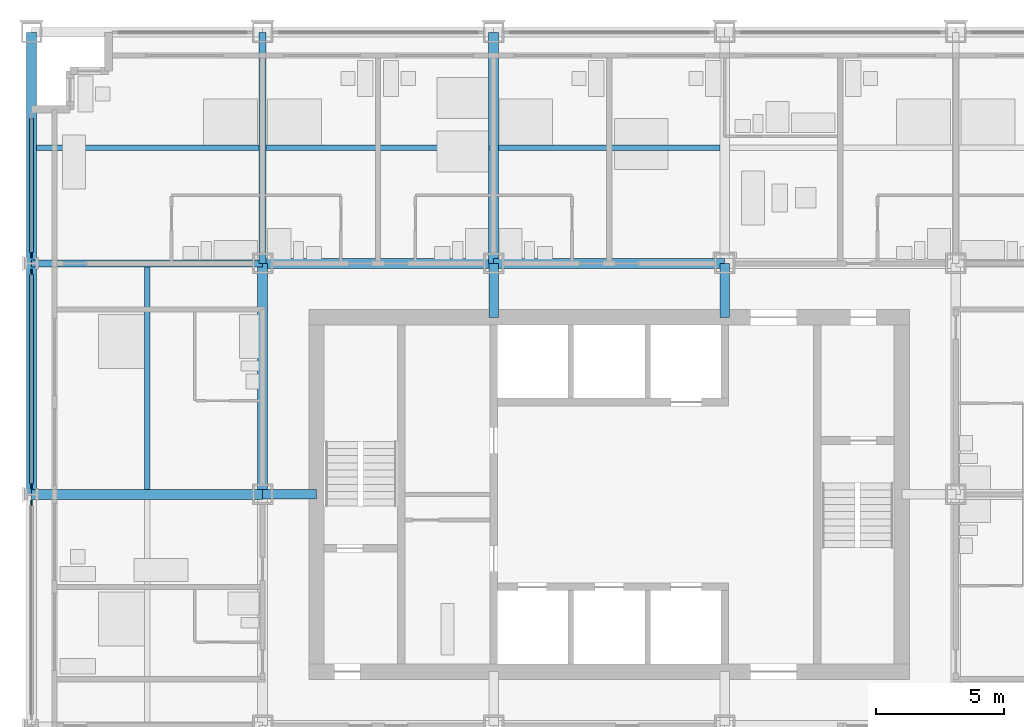
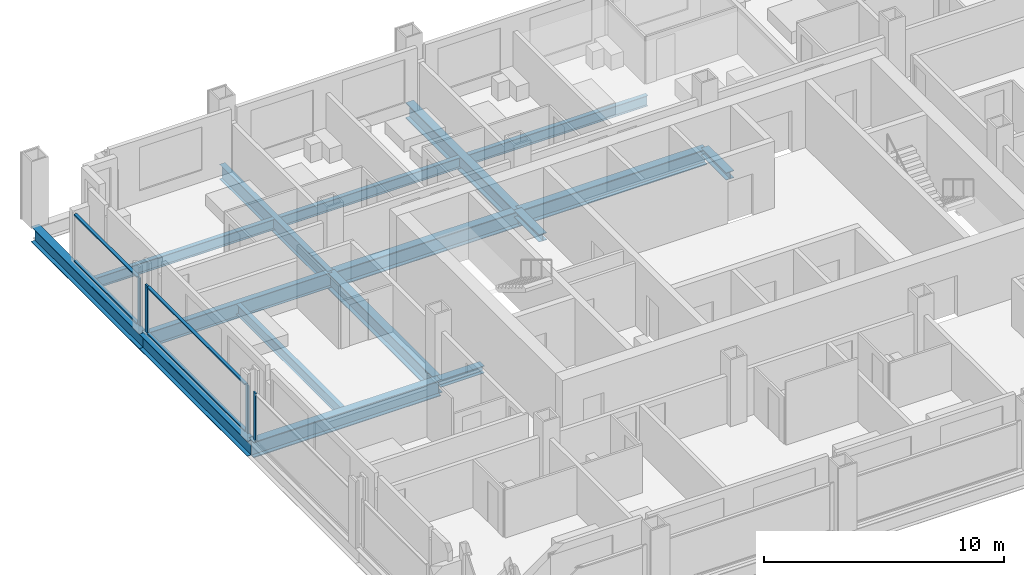
# One storey, part 4 of 16: 13 beams, 11 members, 3 elements without a shape of their own.
"""IFC4 building model written with IfcOpenShell, lengths in metres."""

from ifc_helpers import new_model, si_unit, direction, frame, origin, origin_2d, place, context, subcontext, project, spatial, rectangle, i_section, extrude, material, material_profile, profile_set, type_object, element, aggregate, save


model = new_model("IFC4")

# Units and contexts
model_context = context("Model", 3, precision=1e-05, world=origin(), true_north=direction((0.0, 1.0)))
body_context = subcontext(model_context, "Body", "Model", "MODEL_VIEW")
ifc_project = project(units=[si_unit("LENGTHUNIT", "METRE"), si_unit("AREAUNIT", "SQUARE_METRE"), si_unit("VOLUMEUNIT", "CUBIC_METRE"), si_unit("PLANEANGLEUNIT", "RADIAN"), si_unit("MASSUNIT", "GRAM", prefix="KILO")], contexts=[model_context])

# Site, building, storey
site_placement = place(None, origin())
site = spatial("IfcSite", under=ifc_project, at=site_placement, CompositionType="ELEMENT")
building_placement = place(site_placement, origin())
building = spatial("IfcBuilding", under=site, at=building_placement, Name="Loomwork Tower", CompositionType="ELEMENT")
storey_placement = place(building_placement, frame((0.0, 0.0, 104.39990234375)))
storey = spatial("IfcBuildingStorey", under=building, at=storey_placement, Name="L27", CompositionType="ELEMENT", Elevation=104.39990234375)

# Beams
ifc_material_1 = material(Name="Steel ASTM A992", Category="steel")
ifc_material_profile_1 = material_profile(ifc_material_1, i_section(OverallWidth=0.383544921875, OverallDepth=0.794921875, WebThickness=0.02099609375, FlangeThickness=0.0380859375, at=origin_2d()), Name="W30x235")
ifc_profile_set_1 = profile_set([ifc_material_profile_1], Name="Steel ASTM A992")
beam_type_1 = type_object("IfcBeamType", Name="CORE FLANK GIRDER W30x235", PredefinedType="BEAM", material=ifc_profile_set_1)
for number, where, z_axis, x_axis, name in (
    (1, (0.0, 18.0, -0.597412109375), (1.0, 0.0, 0.0), (0.0, 1.0, 0.0), "Core Flank Girder F/2-F/3 L27"),
    (2, (9.0, 27.0, -0.597412109375), (1.0, 0.0, 0.0), (0.0, 1.0, 0.0), "Core Flank Girder G/3-G/4 L27"),
    (3, (18.0, 27.0, -0.597412109375), (1.0, 0.0, 0.0), (0.0, 1.0, 0.0), "Core Flank Girder G/4-G/5 L27"),
    (4, (9.0, 18.0, -0.597412109375), (0.0, 1.0, 0.0), (-1.0, 0.0, 0.0), "Core Flank Girder F/3-G/3 L27"),
    (5, (18.0, 27.0, -0.597412109375), (0.0, 1.0, 0.0), (-1.0, 0.0, 0.0), "Core Flank Girder G/4-H/4 L27"),
):
    element("IfcBeam", number, at=place(storey_placement, frame(where, z_axis=z_axis, x_axis=x_axis)), inside=storey, type_object=beam_type_1, Name=name, PredefinedType="BEAM", context=body_context, shape_type="SweptSolid", body=[
        extrude(i_section(OverallWidth=0.383544921875, OverallDepth=0.794921875, WebThickness=0.02099609375, FlangeThickness=0.0380859375, at=origin_2d()), origin(), (0.0, 0.0, 1.0), 9.0),
    ])

# Members
ifc_material_2 = material(Name="Steel ASTM A992", Category="steel")
ifc_material_profile_2 = material_profile(ifc_material_2, i_section(OverallWidth=0.373291015625, OverallDepth=0.373291015625, WebThickness=0.016357421875, FlangeThickness=0.026123046875, at=origin_2d()), Name="W14x132")
ifc_profile_set_2 = profile_set([ifc_material_profile_2], Name="Steel ASTM A992")
member_type_1 = type_object("IfcMemberType", Name="CORE LINK STRUT W14x132", PredefinedType="STRUT", material=ifc_profile_set_2)
for number, where, z_axis, x_axis, name in (
    (6, (27.0, 27.0, -0.386474609375), (0.0, -1.0, 0.0), (1.0, 0.0, 0.0), "Core link strut G/5-27.000,24.900 L27"),
    (7, (18.0, 27.0, -0.386474609375), (0.0, -1.0, 0.0), (1.0, 0.0, 0.0), "Core link strut G/4-18.000,24.900 L27"),
    (8, (9.0, 18.0, -0.386474609375), (1.0, 0.0, 0.0), (0.0, 1.0, 0.0), "Core link strut F/3-11.100,18.000 L27"),
):
    element("IfcMember", number, at=place(storey_placement, frame(where, z_axis=z_axis, x_axis=x_axis)), inside=storey, type_object=member_type_1, Name=name, PredefinedType="STRUT", context=body_context, shape_type="SweptSolid", body=[
        extrude(i_section(OverallWidth=0.373291015625, OverallDepth=0.373291015625, WebThickness=0.016357421875, FlangeThickness=0.026123046875, at=origin_2d()), origin(), (0.0, 0.0, 1.0), 2.10009765625),
    ])

# Beams
ifc_material_3 = material(Name="Steel ASTM A992", Category="steel")
ifc_material_profile_3 = material_profile(ifc_material_3, i_section(OverallWidth=0.2666015625, OverallDepth=0.761962890625, WebThickness=0.014404296875, FlangeThickness=0.021484375, at=origin_2d()), Name="W30x116")
ifc_profile_set_3 = profile_set([ifc_material_profile_3], Name="Steel ASTM A992")
beam_type_2 = type_object("IfcBeamType", Name="FLOOR GIRDER W30x116", PredefinedType="BEAM", material=ifc_profile_set_3)
for number, where, z_axis, x_axis, name in (
    (9, (0.0, 27.0, -0.580810546875), (1.0, 0.0, 0.0), (0.0, 1.0, 0.0), "Floor Girder G/2-G/3 L27"),
    (10, (9.0, 27.0, -0.580810546875), (0.0, 1.0, 0.0), (-1.0, 0.0, 0.0), "Floor Girder G/3-H/3 L27"),
):
    element("IfcBeam", number, at=place(storey_placement, frame(where, z_axis=z_axis, x_axis=x_axis)), inside=storey, type_object=beam_type_2, Name=name, PredefinedType="BEAM", context=body_context, shape_type="SweptSolid", body=[
        extrude(i_section(OverallWidth=0.2666015625, OverallDepth=0.761962890625, WebThickness=0.014404296875, FlangeThickness=0.021484375, at=origin_2d()), origin(), (0.0, 0.0, 1.0), 9.0),
    ])
ifc_material_4 = material(Name="Steel ASTM A992", Category="steel")
ifc_material_profile_4 = material_profile(ifc_material_4, i_section(OverallWidth=0.2109375, OverallDepth=0.53857421875, WebThickness=0.011474609375, FlangeThickness=0.018798828125, at=origin_2d()), Name="W21x73")
ifc_profile_set_4 = profile_set([ifc_material_profile_4], Name="Steel ASTM A992")
beam_type_3 = type_object("IfcBeamType", Name="FLOOR JOIST W21x73", PredefinedType="JOIST", material=ifc_profile_set_4)
beam_1_placement = place(storey_placement, frame((4.5, 18.19091796875, -0.46923828125), z_axis=(0.0, 1.0, 0.0), x_axis=(-1.0, 0.0, 0.0)))
element("IfcBeam", 11, at=beam_1_placement, inside=storey, type_object=beam_type_3, Name="Floor Joist 4.500,18.000-4.500,27.000 L27", PredefinedType="JOIST", context=body_context, shape_type="SweptSolid", body=[
    extrude(i_section(OverallWidth=0.2109375, OverallDepth=0.53857421875, WebThickness=0.011474609375, FlangeThickness=0.018798828125, at=origin_2d()), origin(), (0.0, 0.0, 1.0), 8.676025390625),
])
beam_2_placement = place(storey_placement, frame((0.18994140625, 31.5, -0.46923828125), z_axis=(1.0, 0.0, 0.0), x_axis=(0.0, 1.0, 0.0)))
element("IfcBeam", 12, at=beam_2_placement, inside=storey, type_object=beam_type_3, Name="Floor Joist 0.000,31.500-9.000,31.500 L27", PredefinedType="JOIST", context=body_context, shape_type="SweptSolid", body=[
    extrude(i_section(OverallWidth=0.2109375, OverallDepth=0.53857421875, WebThickness=0.011474609375, FlangeThickness=0.018798828125, at=origin_2d()), origin(), (0.0, 0.0, 1.0), 8.677001953125),
])
beam_3_placement = place(storey_placement, frame((9.133056640625, 31.5, -0.46923828125), z_axis=(1.0, 0.0, 0.0), x_axis=(0.0, 1.0, 0.0)))
element("IfcBeam", 13, at=beam_3_placement, inside=storey, type_object=beam_type_3, Name="Floor Joist 9.000,31.500-18.000,31.500 L27", PredefinedType="JOIST", context=body_context, shape_type="SweptSolid", body=[
    extrude(i_section(OverallWidth=0.2109375, OverallDepth=0.53857421875, WebThickness=0.011474609375, FlangeThickness=0.018798828125, at=origin_2d()), origin(), (0.0, 0.0, 1.0), 8.676025390625),
])
beam_4_placement = place(storey_placement, frame((18.19091796875, 31.5, -0.46923828125), z_axis=(1.0, 0.0, 0.0), x_axis=(0.0, 1.0, 0.0)))
element("IfcBeam", 14, at=beam_4_placement, inside=storey, type_object=beam_type_3, Name="Floor Joist 18.000,31.500-27.000,31.500 L27", PredefinedType="JOIST", context=body_context, shape_type="SweptSolid", body=[
    extrude(i_section(OverallWidth=0.2109375, OverallDepth=0.53857421875, WebThickness=0.011474609375, FlangeThickness=0.018798828125, at=origin_2d()), origin(), (0.0, 0.0, 1.0), 8.6181640625),
])

# Curtain wall, member
ifc_material_5 = material(Name="Aluminium curtain wall frame", Category="aluminium")
curtain_wall_type = type_object("IfcCurtainWallType", Name="Outer skin glazing hotel", PredefinedType="NOTDEFINED", material=ifc_material_5)
curtain_wall_1_placement = place(storey_placement, origin())
curtain_wall_1 = element("IfcCurtainWall", 15, at=curtain_wall_1_placement, inside=storey, type_object=curtain_wall_type, Name="Outer skin glazing hotel cw/W-9", PredefinedType="NOTDEFINED")
ifc_material_6 = material(Name="Aluminium curtain wall frame", Category="aluminium")
ifc_material_profile_5 = material_profile(ifc_material_6, rectangle(XDim=0.06494140625, YDim=0.199951171875, at=origin_2d()), Name="AL 65x200")
ifc_profile_set_5 = profile_set([ifc_material_profile_5], Name="Aluminium curtain wall frame")
member_type_2 = type_object("IfcMemberType", Name="Outer skin glazing hotel mullion", PredefinedType="MULLION", material=ifc_profile_set_5)
member_1_placement = place(storey_placement, frame((0.0, 17.67529296875, 0.0), z_axis=(0.0, 0.0, 1.0), x_axis=(1.0, 0.0, 0.0)))
member_1 = element("IfcMember", 16, at=member_1_placement, type_object=member_type_2, Name="CW1 mullion 1", PredefinedType="MULLION", context=body_context, shape_type="SweptSolid", body=[
    extrude(rectangle(XDim=0.06494140625, YDim=0.199951171875, at=origin_2d()), origin(), (0.0, 0.0, 1.0), 2.42041015625),
])
aggregate(curtain_wall_1, [member_1])

# Curtain wall, members
curtain_wall_2_placement = place(storey_placement, origin())
curtain_wall_2 = element("IfcCurtainWall", 17, at=curtain_wall_2_placement, inside=storey, type_object=curtain_wall_type, Name="Outer skin glazing hotel cw/W-18", PredefinedType="NOTDEFINED")
member_2_placement = place(storey_placement, frame((0.0, 26.67529296875, 0.0), z_axis=(0.0, 0.0, 1.0), x_axis=(1.0, 0.0, 0.0)))
member_2 = element("IfcMember", 18, at=member_2_placement, type_object=member_type_2, Name="CW1 mullion 1", PredefinedType="MULLION", context=body_context, shape_type="SweptSolid", body=[
    extrude(rectangle(XDim=0.06494140625, YDim=0.199951171875, at=origin_2d()), origin(), (0.0, 0.0, 1.0), 2.42041015625),
])
member_3_placement = place(storey_placement, frame((0.0, 18.32470703125, 0.0), z_axis=(0.0, 0.0, 1.0), x_axis=(1.0, 0.0, 0.0)))
member_3 = element("IfcMember", 19, at=member_3_placement, type_object=member_type_2, Name="CW1 mullion 2", PredefinedType="MULLION", context=body_context, shape_type="SweptSolid", body=[
    extrude(rectangle(XDim=0.06494140625, YDim=0.199951171875, at=origin_2d()), origin(), (0.0, 0.0, 1.0), 2.42041015625),
])

# Curtain wall, member
curtain_wall_3_placement = place(storey_placement, origin())
curtain_wall_3 = element("IfcCurtainWall", 20, at=curtain_wall_3_placement, inside=storey, type_object=curtain_wall_type, Name="Outer skin glazing hotel cw/W-27", PredefinedType="NOTDEFINED")
member_4_placement = place(storey_placement, frame((0.0, 27.32470703125, 0.0), z_axis=(0.0, 0.0, 1.0), x_axis=(1.0, 0.0, 0.0)))
member_4 = element("IfcMember", 21, at=member_4_placement, type_object=member_type_2, Name="CW1 mullion 2", PredefinedType="MULLION", context=body_context, shape_type="SweptSolid", body=[
    extrude(rectangle(XDim=0.06494140625, YDim=0.199951171875, at=origin_2d()), origin(), (0.0, 0.0, 1.0), 2.42041015625),
])

# Member
ifc_material_7 = material(Name="Aluminium curtain wall frame", Category="aluminium")
ifc_material_profile_6 = material_profile(ifc_material_7, rectangle(XDim=0.14990234375, YDim=0.06494140625, at=origin_2d()), Name="AL 65x150")
ifc_profile_set_6 = profile_set([ifc_material_profile_6], Name="Aluminium curtain wall frame")
member_type_3 = type_object("IfcMemberType", Name="Outer skin glazing hotel transom", PredefinedType="USERDEFINED", material=ifc_profile_set_6)
member_5_placement = place(storey_placement, frame((0.0, 26.5751953125, 0.03271484375), z_axis=(0.0, -1.0, 0.0), x_axis=(1.0, 0.0, 0.0)))
member_5 = element("IfcMember", 22, at=member_5_placement, type_object=member_type_3, Name="CW1 transom 1.1", ObjectType="TRANSOM", PredefinedType="USERDEFINED", context=body_context, shape_type="SweptSolid", body=[
    extrude(rectangle(XDim=0.14990234375, YDim=0.06494140625, at=origin_2d()), origin(), (0.0, 0.0, 1.0), 8.150390625),
])

member_6_placement = place(storey_placement, frame((0.0, 26.5751953125, 2.3876953125), z_axis=(0.0, -1.0, 0.0), x_axis=(1.0, 0.0, 0.0)))
member_6 = element("IfcMember", 23, at=member_6_placement, type_object=member_type_3, Name="CW1 transom 1.2", ObjectType="TRANSOM", PredefinedType="USERDEFINED", context=body_context, shape_type="SweptSolid", body=[
    extrude(rectangle(XDim=0.14990234375, YDim=0.06494140625, at=origin_2d()), origin(), (0.0, 0.0, 1.0), 8.150390625),
])

aggregate(curtain_wall_2, [member_2, member_3, member_5, member_6])

member_7_placement = place(storey_placement, frame((0.0, 32.64990234375, 0.03271484375), z_axis=(0.0, -1.0, 0.0), x_axis=(1.0, 0.0, 0.0)))
member_7 = element("IfcMember", 24, at=member_7_placement, type_object=member_type_3, Name="CW1 transom 1.1", ObjectType="TRANSOM", PredefinedType="USERDEFINED", context=body_context, shape_type="SweptSolid", body=[
    extrude(rectangle(XDim=0.14990234375, YDim=0.06494140625, at=origin_2d()), origin(), (0.0, 0.0, 1.0), 5.22509765625),
])

member_8_placement = place(storey_placement, frame((0.0, 32.64990234375, 2.3876953125), z_axis=(0.0, -1.0, 0.0), x_axis=(1.0, 0.0, 0.0)))
member_8 = element("IfcMember", 25, at=member_8_placement, type_object=member_type_3, Name="CW1 transom 1.2", ObjectType="TRANSOM", PredefinedType="USERDEFINED", context=body_context, shape_type="SweptSolid", body=[
    extrude(rectangle(XDim=0.14990234375, YDim=0.06494140625, at=origin_2d()), origin(), (0.0, 0.0, 1.0), 5.22509765625),
])

aggregate(curtain_wall_3, [member_4, member_7, member_8])

# Beams
ifc_material_8 = material(Name="Steel ASTM A992", Category="steel")
ifc_material_profile_7 = material_profile(ifc_material_8, i_section(OverallWidth=0.381103515625, OverallDepth=0.77978515625, WebThickness=0.01806640625, FlangeThickness=0.0302734375, at=origin_2d()), Name="W30x191")
ifc_profile_set_7 = profile_set([ifc_material_profile_7], Name="Steel ASTM A992")
beam_type_4 = type_object("IfcBeamType", Name="SPANDREL GIRDER W30x191", PredefinedType="SPANDREL", material=ifc_profile_set_7)
for number, where, z_axis, x_axis, name in (
    (26, (0.0, 18.0, -0.58984375), (0.0, 1.0, 0.0), (-1.0, 0.0, 0.0), "Spandrel Girder F/2-G/2 L27"),
    (27, (0.0, 27.0, -0.58984375), (0.0, 1.0, 0.0), (-1.0, 0.0, 0.0), "Spandrel Girder G/2-H/2 L27"),
):
    element("IfcBeam", number, at=place(storey_placement, frame(where, z_axis=z_axis, x_axis=x_axis)), inside=storey, type_object=beam_type_4, Name=name, PredefinedType="SPANDREL", context=body_context, shape_type="SweptSolid", body=[
        extrude(i_section(OverallWidth=0.381103515625, OverallDepth=0.77978515625, WebThickness=0.01806640625, FlangeThickness=0.0302734375, at=origin_2d()), origin(), (0.0, 0.0, 1.0), 9.0),
    ])

save(model, "model.ifc")
